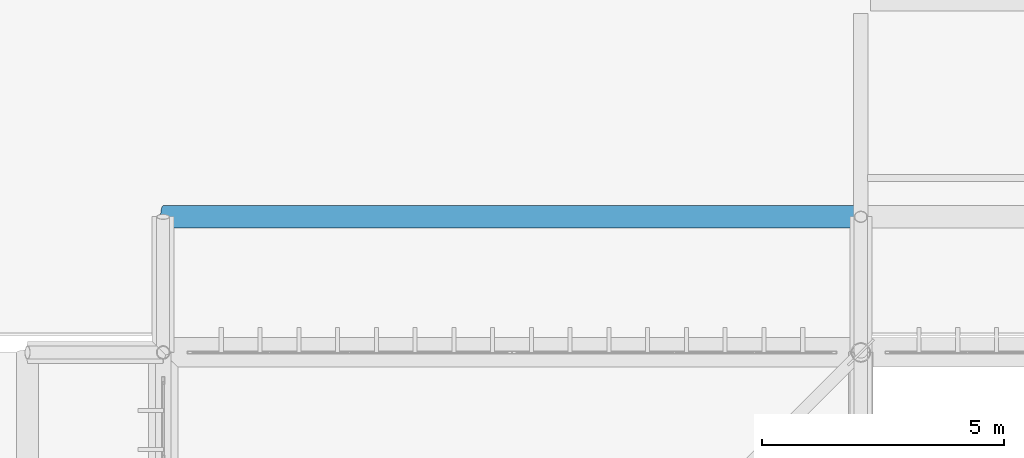
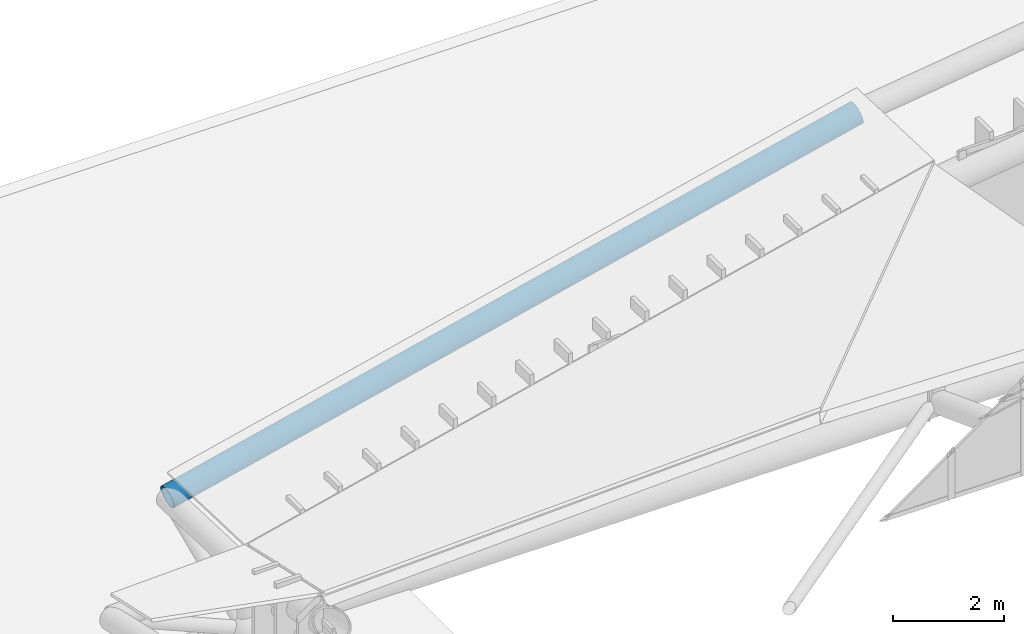
# One storey, part 230 of 397: 1 beam.
"""IFC4 building model written with IfcOpenShell, lengths in metres."""

from ifc_helpers import new_model, si_unit, direction, frame, origin, origin_2d, place, context, subcontext, project, spatial, hollow_circle, extrude, material, material_profile, profile_set, type_object, element, save


model = new_model("IFC4")

# Units and contexts
model_context = context("Model", 3, precision=1e-05, world=origin(), true_north=direction((0.0, 1.0)))
body_context = subcontext(model_context, "Body", "Model", "MODEL_VIEW")
ifc_project = project(units=[si_unit("LENGTHUNIT", "METRE"), si_unit("AREAUNIT", "SQUARE_METRE"), si_unit("VOLUMEUNIT", "CUBIC_METRE"), si_unit("PLANEANGLEUNIT", "RADIAN"), si_unit("MASSUNIT", "GRAM", prefix="KILO")], contexts=[model_context])

# Site, building, storey
site_placement = place(None, origin())
site = spatial("IfcSite", under=ifc_project, at=site_placement, CompositionType="ELEMENT")
building_placement = place(site_placement, origin())
building = spatial("IfcBuilding", under=site, at=building_placement, Name="Qandorah Velis Arena", CompositionType="ELEMENT")
storey_placement = place(building_placement, frame((0.0, 0.0, 27.5)))
storey = spatial("IfcBuildingStorey", under=building, at=storey_placement, Name="RF", CompositionType="ELEMENT", Elevation=27.5)

# Beam
ifc_material = material(Name="Steel S355", Category="steel")
ifc_material_profile = material_profile(ifc_material, hollow_circle(Radius=0.228515625, WallThickness=0.01611328125, at=origin_2d()), Name="CHS 457x16")
ifc_profile_set = profile_set([ifc_material_profile], Name="Steel S355")
beam_type = type_object("IfcBeamType", Name="STR-SFC-CHS457X16", PredefinedType="USERDEFINED", material=ifc_profile_set)
beam_placement = place(storey_placement, frame((14.39990234375, 118.0, 1.300048828125), z_axis=(0.97245057016, 0.0, 0.233109177415), x_axis=(0.0, 1.0, 0.0)))
element("IfcBeam", 1, at=beam_placement, inside=storey, type_object=beam_type, Name="Space frame eave fascia ring N-0", ObjectType="ROOF TRUSS", PredefinedType="USERDEFINED", context=body_context, shape_type="SweptSolid", body=[
    extrude(hollow_circle(Radius=0.228515625, WallThickness=0.01611328125, at=origin_2d()), origin(), (0.0, 0.0, 1.0), 14.80810546875),
])

save(model, "model.ifc")
